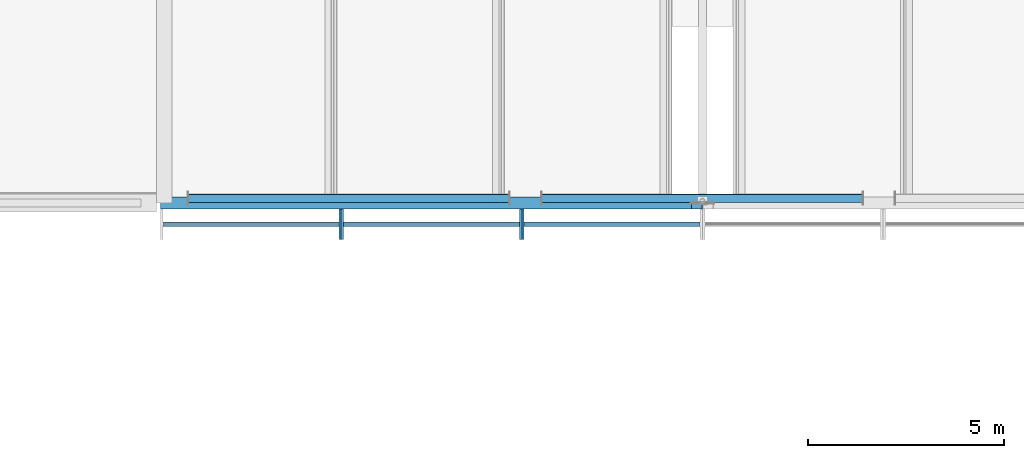
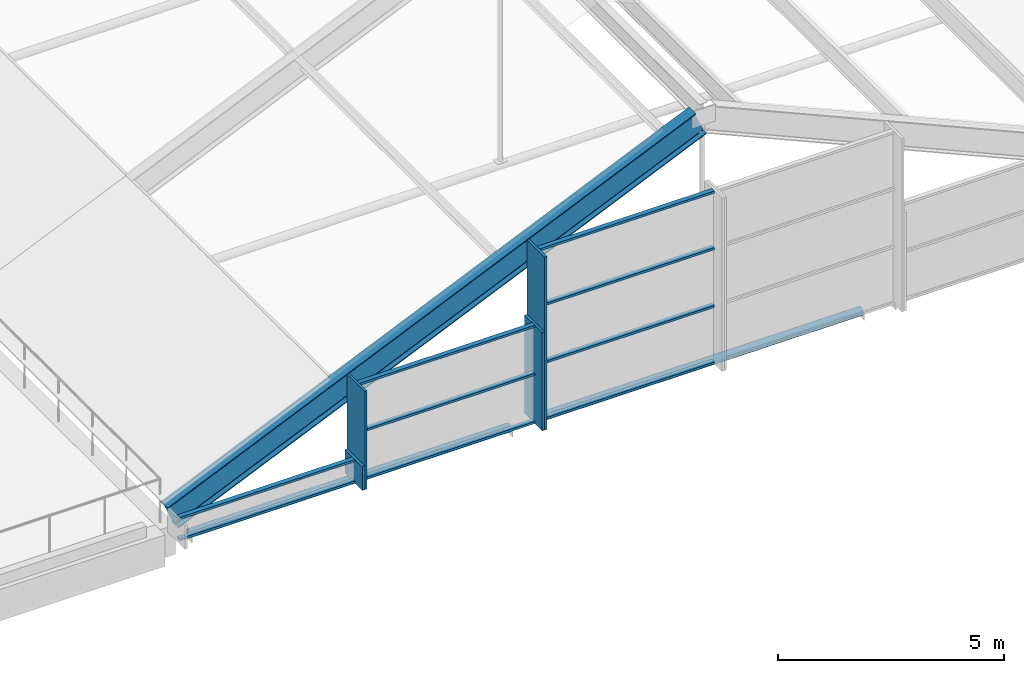
# One storey, part 36 of 106: 15 members, 1 beam, 3 elements without a shape of their own.
"""IFC4 building model written with IfcOpenShell, lengths in metres."""

from ifc_helpers import new_model, si_unit, direction, frame, origin, origin_2d, place, context, subcontext, project, spatial, rectangle, hollow_circle, i_section, extrude, material, layer, layer_set, material_profile, profile_set, type_object, element, aggregate, save


model = new_model("IFC4")

# Units and contexts
model_context = context("Model", 3, precision=1e-05, world=origin(), true_north=direction((0.0, 1.0)))
body_context = subcontext(model_context, "Body", "Model", "MODEL_VIEW")
ifc_project = project(units=[si_unit("LENGTHUNIT", "METRE"), si_unit("AREAUNIT", "SQUARE_METRE"), si_unit("VOLUMEUNIT", "CUBIC_METRE"), si_unit("PLANEANGLEUNIT", "RADIAN"), si_unit("MASSUNIT", "GRAM", prefix="KILO")], contexts=[model_context])

# Site, building, storey
site_placement = place(None, origin())
site = spatial("IfcSite", under=ifc_project, at=site_placement, CompositionType="ELEMENT")
building_placement = place(site_placement, origin())
building = spatial("IfcBuilding", under=site, at=building_placement, Name="Guidao Yard Department Store", CompositionType="ELEMENT")
storey_placement = place(building_placement, frame((0.0, 0.0, 10.5)))
storey = spatial("IfcBuildingStorey", under=building, at=storey_placement, Name="L02", CompositionType="ELEMENT", Elevation=10.5)

# Members
ifc_material_1 = material(Name="Steel Q355B", Category="steel")
ifc_material_profile_1 = material_profile(ifc_material_1, hollow_circle(Radius=0.109619140625, WallThickness=0.010009765625, at=origin_2d()), Name="CHS 219x10")
ifc_profile_set_1 = profile_set([ifc_material_profile_1], Name="Steel Q355B")
member_type_1 = type_object("IfcMemberType", Name="CHS 219x10", PredefinedType="BRACE", material=ifc_profile_set_1)
for number, where, z_axis, x_axis, name in (
    (1, (126.39990234375, 54.1201171875, -0.449951171875), (1.0, 0.0, 0.0), (0.0, 1.0, 0.0), "Roof tie rod F01-1"),
    (2, (135.39990234375, 54.1201171875, -0.449951171875), (1.0, 0.0, 0.0), (0.0, 1.0, 0.0), "Roof tie rod F01-2"),
):
    element("IfcMember", number, at=place(storey_placement, frame(where, z_axis=z_axis, x_axis=x_axis)), inside=storey, type_object=member_type_1, Name=name, PredefinedType="BRACE", context=body_context, shape_type="SweptSolid", body=[
        extrude(hollow_circle(Radius=0.109619140625, WallThickness=0.010009765625, at=origin_2d()), origin(), (0.0, 0.0, 1.0), 8.2001953125),
    ])

# Beam
ifc_material_2 = material(Name="Steel Q355B", Category="steel")
ifc_material_profile_2 = material_profile(ifc_material_2, i_section(OverallWidth=0.300048828125, OverallDepth=0.699951171875, WebThickness=0.012939453125, FlangeThickness=0.02392578125, FilletRadius=0.01806640625, at=origin_2d()), Name="HN 700x300x13x24")
ifc_profile_set_2 = profile_set([ifc_material_profile_2], Name="Steel Q355B")
beam_type = type_object("IfcBeamType", Name="HN 700x300x13x24", PredefinedType="BEAM", material=ifc_profile_set_2)
beam_placement = place(storey_placement, frame((125.84423828125, 54.0, 0.3203125), z_axis=(0.915522684048, 0.0, 0.402266348323), x_axis=(0.0, 1.0, 0.0)))
element("IfcBeam", 3, at=beam_placement, inside=storey, type_object=beam_type, Name="Roof rib F01-01", PredefinedType="BEAM", context=body_context, shape_type="SweptSolid", body=[
    extrude(i_section(OverallWidth=0.300048828125, OverallDepth=0.699951171875, WebThickness=0.012939453125, FlangeThickness=0.02392578125, FilletRadius=0.01806640625, at=origin_2d()), origin(), (0.0, 0.0, 1.0), 14.761962890625),
])

# Curtain wall, member
ifc_material_3 = material(Name="Aluminium and glass", Category="aluminium")
ifc_layer = layer(ifc_material_3, 0.159912109375)
ifc_layer_set = layer_set([ifc_layer], Name="Gable glazing CW7 1500 module")
curtain_wall_type = type_object("IfcCurtainWallType", Name="Gable glazing CW7 1500 module", PredefinedType="NOTDEFINED", material=ifc_layer_set)
curtain_wall_1_placement = place(storey_placement, origin())
curtain_wall_1 = element("IfcCurtainWall", 4, at=curtain_wall_1_placement, inside=storey, type_object=curtain_wall_type, Name="Gable glazing FS1", PredefinedType="NOTDEFINED")
ifc_material_4 = material(Name="Aluminium 6063-T5", Category="aluminium")
ifc_material_profile_3 = material_profile(ifc_material_4, rectangle(XDim=0.06005859375, YDim=0.780029296875, at=origin_2d()), Name="Mullion M3 60 x 780 aluminium pressure plate")
ifc_profile_set_3 = profile_set([ifc_material_profile_3], Name="Aluminium 6063-T5")
member_type_2 = type_object("IfcMemberType", Name="Mullion M3 60 x 780 aluminium pressure plate", PredefinedType="MULLION", material=ifc_profile_set_3)
member_1_placement = place(storey_placement, frame((130.272216796875, 53.4599609375, 0.0), z_axis=(0.0, 0.0, 1.0), x_axis=(-1.0, 0.0, 0.0)))
member_1 = element("IfcMember", 5, at=member_1_placement, type_object=member_type_2, Name="CW-TFS1 mullion 2", PredefinedType="MULLION", context=body_context, shape_type="SweptSolid", body=[
    extrude(rectangle(XDim=0.06005859375, YDim=0.780029296875, at=origin_2d()), origin(), (0.0, 0.0, 1.0), 0.640869140625),
])

# Curtain wall, members
curtain_wall_2_placement = place(storey_placement, origin())
curtain_wall_2 = element("IfcCurtainWall", 6, at=curtain_wall_2_placement, inside=storey, type_object=curtain_wall_type, Name="Gable glazing FS2", PredefinedType="NOTDEFINED")
member_2_placement = place(storey_placement, frame((130.332275390625, 53.4599609375, 0.0), z_axis=(0.0, 0.0, 1.0), x_axis=(-1.0, 0.0, 0.0)))
member_2 = element("IfcMember", 7, at=member_2_placement, type_object=member_type_2, Name="CW-TFS2 mullion 1", PredefinedType="MULLION", context=body_context, shape_type="SweptSolid", body=[
    extrude(rectangle(XDim=0.06005859375, YDim=0.780029296875, at=origin_2d()), origin(), (0.0, 0.0, 1.0), 2.661376953125),
])
member_3_placement = place(storey_placement, frame((134.87109375, 53.4599609375, 0.0), z_axis=(0.0, 0.0, 1.0), x_axis=(-1.0, 0.0, 0.0)))
member_3 = element("IfcMember", 8, at=member_3_placement, type_object=member_type_2, Name="CW-TFS2 mullion 2", PredefinedType="MULLION", context=body_context, shape_type="SweptSolid", body=[
    extrude(rectangle(XDim=0.06005859375, YDim=0.780029296875, at=origin_2d()), origin(), (0.0, 0.0, 1.0), 2.661376953125),
])

# Curtain wall, member
curtain_wall_3_placement = place(storey_placement, origin())
curtain_wall_3 = element("IfcCurtainWall", 9, at=curtain_wall_3_placement, inside=storey, type_object=curtain_wall_type, Name="Gable glazing FS3", PredefinedType="NOTDEFINED")
member_4_placement = place(storey_placement, frame((134.93115234375, 53.4599609375, 0.0), z_axis=(0.0, 0.0, 1.0), x_axis=(-1.0, 0.0, 0.0)))
member_4 = element("IfcMember", 10, at=member_4_placement, type_object=member_type_2, Name="CW-TFS3 mullion 1", PredefinedType="MULLION", context=body_context, shape_type="SweptSolid", body=[
    extrude(rectangle(XDim=0.06005859375, YDim=0.780029296875, at=origin_2d()), origin(), (0.0, 0.0, 1.0), 4.68212890625),
])

# Member
ifc_material_5 = material(Name="Aluminium 6063-T5", Category="aluminium")
ifc_material_profile_4 = material_profile(ifc_material_5, rectangle(XDim=0.1201171875, YDim=0.06005859375, at=origin_2d()), Name="Transom T1 60 x 120 aluminium pressure plate")
ifc_profile_set_4 = profile_set([ifc_material_profile_4], Name="Aluminium 6063-T5")
member_type_3 = type_object("IfcMemberType", Name="Transom T1 60 x 120 aluminium pressure plate", PredefinedType="USERDEFINED", material=ifc_profile_set_4)
member_5_placement = place(storey_placement, frame((130.2421875, 53.4599609375, 0.030029296875), z_axis=(-1.0, 0.0, 0.0), x_axis=(0.0, -1.0, 0.0)))
member_5 = element("IfcMember", 11, at=member_5_placement, type_object=member_type_3, Name="CW-TFS1 transom 1.1", ObjectType="TRANSOM", PredefinedType="USERDEFINED", context=body_context, shape_type="SweptSolid", body=[
    extrude(rectangle(XDim=0.1201171875, YDim=0.06005859375, at=origin_2d()), origin(), (0.0, 0.0, 1.0), 4.478759765625),
])

member_6_placement = place(storey_placement, frame((130.2421875, 53.4599609375, 0.61083984375), z_axis=(-1.0, 0.0, 0.0), x_axis=(0.0, -1.0, 0.0)))
member_6 = element("IfcMember", 12, at=member_6_placement, type_object=member_type_3, Name="CW-TFS1 transom 1.2", ObjectType="TRANSOM", PredefinedType="USERDEFINED", context=body_context, shape_type="SweptSolid", body=[
    extrude(rectangle(XDim=0.1201171875, YDim=0.06005859375, at=origin_2d()), origin(), (0.0, 0.0, 1.0), 4.478759765625),
])

aggregate(curtain_wall_1, [member_1, member_5, member_6])

member_7_placement = place(storey_placement, frame((134.841064453125, 53.4599609375, 0.030029296875), z_axis=(-1.0, 0.0, 0.0), x_axis=(0.0, -1.0, 0.0)))
member_7 = element("IfcMember", 13, at=member_7_placement, type_object=member_type_3, Name="CW-TFS2 transom 1.1", ObjectType="TRANSOM", PredefinedType="USERDEFINED", context=body_context, shape_type="SweptSolid", body=[
    extrude(rectangle(XDim=0.1201171875, YDim=0.06005859375, at=origin_2d()), origin(), (0.0, 0.0, 1.0), 4.478759765625),
])

member_8_placement = place(storey_placement, frame((134.841064453125, 53.4599609375, 1.330810546875), z_axis=(-1.0, 0.0, 0.0), x_axis=(0.0, -1.0, 0.0)))
member_8 = element("IfcMember", 14, at=member_8_placement, type_object=member_type_3, Name="CW-TFS2 transom 1.2", ObjectType="TRANSOM", PredefinedType="USERDEFINED", context=body_context, shape_type="SweptSolid", body=[
    extrude(rectangle(XDim=0.1201171875, YDim=0.06005859375, at=origin_2d()), origin(), (0.0, 0.0, 1.0), 4.478759765625),
])

member_9_placement = place(storey_placement, frame((134.841064453125, 53.4599609375, 2.631591796875), z_axis=(-1.0, 0.0, 0.0), x_axis=(0.0, -1.0, 0.0)))
member_9 = element("IfcMember", 15, at=member_9_placement, type_object=member_type_3, Name="CW-TFS2 transom 1.3", ObjectType="TRANSOM", PredefinedType="USERDEFINED", context=body_context, shape_type="SweptSolid", body=[
    extrude(rectangle(XDim=0.1201171875, YDim=0.06005859375, at=origin_2d()), origin(), (0.0, 0.0, 1.0), 4.478759765625),
])

aggregate(curtain_wall_2, [member_2, member_3, member_7, member_8, member_9])

member_10_placement = place(storey_placement, frame((139.43994140625, 53.4599609375, 0.030029296875), z_axis=(-1.0, 0.0, 0.0), x_axis=(0.0, -1.0, 0.0)))
member_10 = element("IfcMember", 16, at=member_10_placement, type_object=member_type_3, Name="CW-TFS3 transom 1.1", ObjectType="TRANSOM", PredefinedType="USERDEFINED", context=body_context, shape_type="SweptSolid", body=[
    extrude(rectangle(XDim=0.1201171875, YDim=0.06005859375, at=origin_2d()), origin(), (0.0, 0.0, 1.0), 4.478759765625),
])

member_11_placement = place(storey_placement, frame((139.43994140625, 53.4599609375, 1.560791015625), z_axis=(-1.0, 0.0, 0.0), x_axis=(0.0, -1.0, 0.0)))
member_11 = element("IfcMember", 17, at=member_11_placement, type_object=member_type_3, Name="CW-TFS3 transom 1.2", ObjectType="TRANSOM", PredefinedType="USERDEFINED", context=body_context, shape_type="SweptSolid", body=[
    extrude(rectangle(XDim=0.1201171875, YDim=0.06005859375, at=origin_2d()), origin(), (0.0, 0.0, 1.0), 4.478759765625),
])

member_12_placement = place(storey_placement, frame((139.43994140625, 53.4599609375, 3.121337890625), z_axis=(-1.0, 0.0, 0.0), x_axis=(0.0, -1.0, 0.0)))
member_12 = element("IfcMember", 18, at=member_12_placement, type_object=member_type_3, Name="CW-TFS3 transom 1.3", ObjectType="TRANSOM", PredefinedType="USERDEFINED", context=body_context, shape_type="SweptSolid", body=[
    extrude(rectangle(XDim=0.1201171875, YDim=0.06005859375, at=origin_2d()), origin(), (0.0, 0.0, 1.0), 4.478759765625),
])

member_13_placement = place(storey_placement, frame((139.43994140625, 53.4599609375, 4.652099609375), z_axis=(-1.0, 0.0, 0.0), x_axis=(0.0, -1.0, 0.0)))
member_13 = element("IfcMember", 19, at=member_13_placement, type_object=member_type_3, Name="CW-TFS3 transom 1.4", ObjectType="TRANSOM", PredefinedType="USERDEFINED", context=body_context, shape_type="SweptSolid", body=[
    extrude(rectangle(XDim=0.1201171875, YDim=0.06005859375, at=origin_2d()), origin(), (0.0, 0.0, 1.0), 4.478759765625),
])

aggregate(curtain_wall_3, [member_4, member_10, member_11, member_12, member_13])

save(model, "model.ifc")
